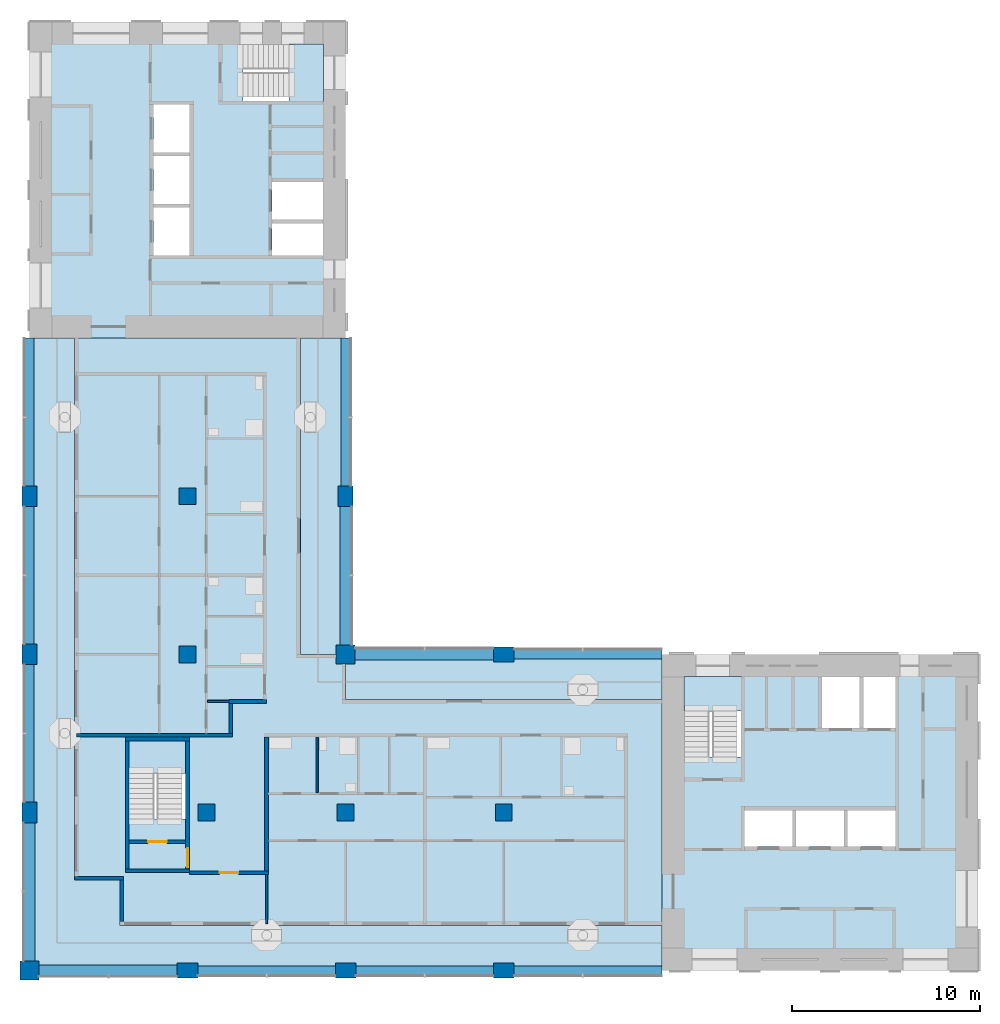
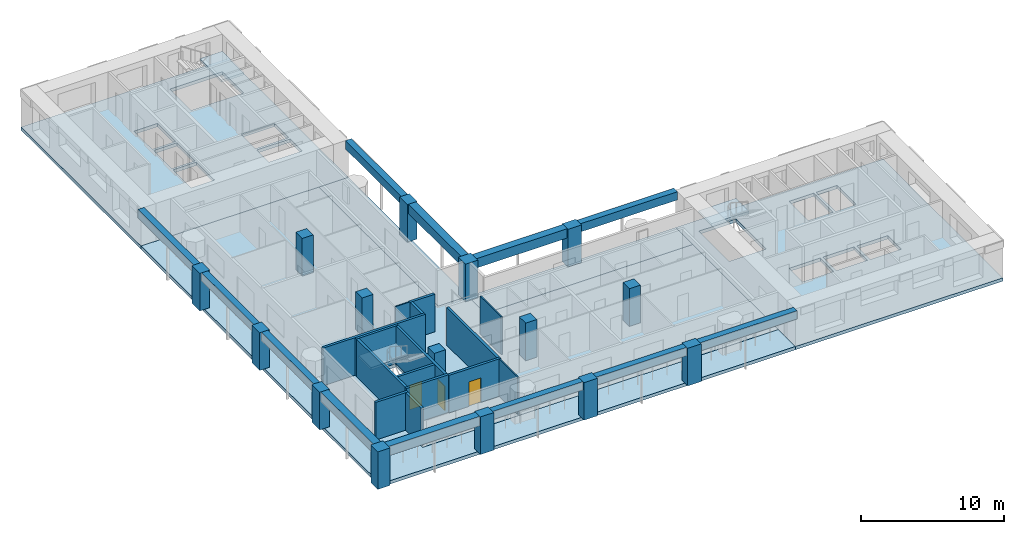
# One storey, part 1 of 12: 15 columns, 15 walls, 12 beams, 10 slabs, 3 doors, 3 openings, 3 elements without a shape of their own.
"""IFC4 building model written with IfcOpenShell, lengths in metres."""

from ifc_helpers import new_model, si_unit, direction, frame, frame_2d, origin, origin_2d, place, context, subcontext, project, spatial, polyline, rectangle, outline, extrude, material, layer, layer_set, material_profile, profile_set, type_object, element, fill, aggregate, save


model = new_model("IFC4")

# Units and contexts
model_context = context("Model", 3, precision=1e-05, world=origin(), true_north=direction((0.0, 1.0)))
body_context = subcontext(model_context, "Body", "Model", "MODEL_VIEW")
ifc_project = project(units=[si_unit("LENGTHUNIT", "METRE"), si_unit("AREAUNIT", "SQUARE_METRE"), si_unit("VOLUMEUNIT", "CUBIC_METRE"), si_unit("PLANEANGLEUNIT", "RADIAN"), si_unit("MASSUNIT", "GRAM", prefix="KILO")], contexts=[model_context])

# Site, building, storey
site_placement = place(None, origin())
site = spatial("IfcSite", under=ifc_project, at=site_placement, CompositionType="ELEMENT")
building_placement = place(site_placement, origin())
building = spatial("IfcBuilding", under=site, at=building_placement, Name="Vermilion Gate Residences", CompositionType="ELEMENT")
storey_placement = place(building_placement, frame((0.0, 0.0, 214.199951171875)))
storey = spatial("IfcBuildingStorey", under=building, at=storey_placement, Name="L55", CompositionType="ELEMENT", Elevation=214.199951171875)

# Columns
ifc_material_1 = material(Name="Concrete C50", Category="concrete")
ifc_material_profile_1 = material_profile(ifc_material_1, rectangle(XDim=1.0, YDim=1.0, at=origin_2d()), Name="RC-1000x1000")
ifc_profile_set_1 = profile_set([ifc_material_profile_1], Name="Concrete C50")
column_type_1 = type_object("IfcColumnType", Name="RC COLUMN 1000 X 1000 C50", PredefinedType="COLUMN", material=ifc_profile_set_1)
for number, where, z_axis, x_axis, name in (
    (1, (8.39990234375, 8.39990234375, 0.0), (0.0, 0.0, 1.0), (1.0, 0.0, 0.0), "Column 2-B L55"),
    (2, (25.199951171875, 25.199951171875, 0.0), (0.0, 0.0, 1.0), (1.0, 0.0, 0.0), "Column 4-D L55"),
):
    element("IfcColumn", number, at=place(storey_placement, frame(where, z_axis=z_axis, x_axis=x_axis)), inside=storey, type_object=column_type_1, Name=name, PredefinedType="COLUMN", context=body_context, shape_type="SweptSolid", body=[
        extrude(rectangle(XDim=1.0, YDim=1.0, at=origin_2d()), origin(), (0.0, 0.0, 1.0), 3.219970703125),
    ])
ifc_material_2 = material(Name="Concrete C50", Category="concrete")
ifc_material_profile_2 = material_profile(ifc_material_2, rectangle(XDim=1.10009765625, YDim=0.800048828125, at=origin_2d()), Name="RC-1100x800")
ifc_profile_set_2 = profile_set([ifc_material_profile_2], Name="Concrete C50")
column_type_2 = type_object("IfcColumnType", Name="RC COLUMN 1100 X 800 C50", PredefinedType="COLUMN", material=ifc_profile_set_2)
for number, where, z_axis, x_axis, name in (
    (3, (8.39990234375, 16.800048828125, 0.0), (0.0, 0.0, 1.0), (0.0, 1.0, 0.0), "Column 2-C L55"),
    (4, (8.39990234375, 25.199951171875, 0.0), (0.0, 0.0, 1.0), (0.0, 1.0, 0.0), "Column 2-D L55"),
    (5, (8.39990234375, 33.60009765625, 0.0), (0.0, 0.0, 1.0), (0.0, 1.0, 0.0), "Column 2-E L55"),
    (6, (16.800048828125, 8.39990234375, 0.0), (0.0, 0.0, 1.0), (1.0, 0.0, 0.0), "Column 3-B L55"),
    (7, (25.199951171875, 8.39990234375, 0.0), (0.0, 0.0, 1.0), (1.0, 0.0, 0.0), "Column 4-B L55"),
    (8, (25.199951171875, 33.60009765625, 0.0), (0.0, 0.0, 1.0), (0.0, 1.0, 0.0), "Column 4-E L55"),
    (9, (33.60009765625, 8.39990234375, 0.0), (0.0, 0.0, 1.0), (1.0, 0.0, 0.0), "Column 5-B L55"),
    (10, (33.60009765625, 25.199951171875, 0.0), (0.0, 0.0, 1.0), (1.0, 0.0, 0.0), "Column 5-D L55"),
):
    element("IfcColumn", number, at=place(storey_placement, frame(where, z_axis=z_axis, x_axis=x_axis)), inside=storey, type_object=column_type_2, Name=name, PredefinedType="COLUMN", context=body_context, shape_type="SweptSolid", body=[
        extrude(rectangle(XDim=1.10009765625, YDim=0.800048828125, at=origin_2d()), origin(), (0.0, 0.0, 1.0), 3.219970703125),
    ])
ifc_material_3 = material(Name="Concrete C50", Category="concrete")
ifc_material_profile_3 = material_profile(ifc_material_3, rectangle(XDim=0.89990234375, YDim=0.89990234375, at=origin_2d()), Name="RC-900x900")
ifc_profile_set_3 = profile_set([ifc_material_profile_3], Name="Concrete C50")
column_type_3 = type_object("IfcColumnType", Name="RC COLUMN 900 X 900 C50", PredefinedType="COLUMN", material=ifc_profile_set_3)
for number, where, z_axis, x_axis, name in (
    (11, (17.800048828125, 16.800048828125, 0.0), (0.0, 0.0, 1.0), (1.0, 0.0, 0.0), "Column 3-C L55"),
    (12, (16.800048828125, 25.199951171875, 0.0), (0.0, 0.0, 1.0), (1.0, 0.0, 0.0), "Column 3-D L55"),
    (13, (16.800048828125, 33.60009765625, 0.0), (0.0, 0.0, 1.0), (1.0, 0.0, 0.0), "Column 3-E L55"),
    (14, (25.199951171875, 16.800048828125, 0.0), (0.0, 0.0, 1.0), (1.0, 0.0, 0.0), "Column 4-C L55"),
    (15, (33.60009765625, 16.800048828125, 0.0), (0.0, 0.0, 1.0), (1.0, 0.0, 0.0), "Column 5-C L55"),
):
    element("IfcColumn", number, at=place(storey_placement, frame(where, z_axis=z_axis, x_axis=x_axis)), inside=storey, type_object=column_type_3, Name=name, PredefinedType="COLUMN", context=body_context, shape_type="SweptSolid", body=[
        extrude(rectangle(XDim=0.89990234375, YDim=0.89990234375, at=origin_2d()), origin(), (0.0, 0.0, 1.0), 3.219970703125),
    ])

# Beams
ifc_material_4 = material(Name="Concrete C60 red-oxide pigmented", Category="concrete")
ifc_material_profile_4 = material_profile(ifc_material_4, rectangle(XDim=0.60009765625, YDim=0.800048828125, at=origin_2d()), Name="RC-600x800")
ifc_profile_set_4 = profile_set([ifc_material_profile_4], Name="Concrete C60 red-oxide pigmented")
beam_type_1 = type_object("IfcBeamType", Name="RC CORNER EDGE BEAM 600 X 800 C60", PredefinedType="BEAM", material=ifc_profile_set_4)
for number, where, z_axis, x_axis, name in (
    (16, (8.89990234375, 8.39990234375, 2.820068359375), (1.0, 0.0, 0.0), (0.0, 1.0, 0.0), "Corner edge beam L55 1"),
    (17, (8.39990234375, 8.89990234375, 2.820068359375), (0.0, 1.0, 0.0), (-1.0, 0.0, 0.0), "Corner edge beam L55 2"),
    (18, (25.199951171875, 25.699951171875, 2.820068359375), (0.0, 1.0, 0.0), (-1.0, 0.0, 0.0), "Corner edge beam L55 7"),
    (19, (25.699951171875, 25.199951171875, 2.820068359375), (1.0, 0.0, 0.0), (0.0, 1.0, 0.0), "Corner edge beam L55 10"),
):
    element("IfcBeam", number, at=place(storey_placement, frame(where, z_axis=z_axis, x_axis=x_axis)), inside=storey, type_object=beam_type_1, Name=name, PredefinedType="BEAM", context=body_context, shape_type="SweptSolid", body=[
        extrude(rectangle(XDim=0.60009765625, YDim=0.800048828125, at=origin_2d()), origin(), (0.0, 0.0, 1.0), 7.35009765625),
    ])
ifc_material_5 = material(Name="Concrete C60 red-oxide pigmented", Category="concrete")
ifc_material_profile_5 = material_profile(ifc_material_5, rectangle(XDim=0.5, YDim=0.699951171875, at=origin_2d()), Name="RC-500x700")
ifc_profile_set_5 = profile_set([ifc_material_profile_5], Name="Concrete C60 red-oxide pigmented")
beam_type_2 = type_object("IfcBeamType", Name="RC EDGE BEAM 500 X 700 C60", PredefinedType="BEAM", material=ifc_profile_set_5)
beam_1_placement = place(storey_placement, frame((8.39990234375, 17.35009765625, 2.8701171875), z_axis=(0.0, 1.0, 0.0), x_axis=(-1.0, 0.0, 0.0)))
element("IfcBeam", 20, at=beam_1_placement, inside=storey, type_object=beam_type_2, Name="Edge beam L55 3", PredefinedType="BEAM", context=body_context, shape_type="SweptSolid", body=[
    extrude(rectangle(XDim=0.5, YDim=0.699951171875, at=origin_2d()), origin(), (0.0, 0.0, 1.0), 7.2998046875),
])
beam_2_placement = place(storey_placement, frame((8.39990234375, 25.75, 2.8701171875), z_axis=(0.0, 1.0, 0.0), x_axis=(-1.0, 0.0, 0.0)))
element("IfcBeam", 21, at=beam_2_placement, inside=storey, type_object=beam_type_2, Name="Edge beam L55 4", PredefinedType="BEAM", context=body_context, shape_type="SweptSolid", body=[
    extrude(rectangle(XDim=0.5, YDim=0.699951171875, at=origin_2d()), origin(), (0.0, 0.0, 1.0), 7.300048828125),
])
beam_3_placement = place(storey_placement, frame((8.39990234375, 34.14990234375, 2.8701171875), z_axis=(0.0, 1.0, 0.0), x_axis=(-1.0, 0.0, 0.0)))
element("IfcBeam", 22, at=beam_3_placement, inside=storey, type_object=beam_type_2, Name="Edge beam L55 5", PredefinedType="BEAM", context=body_context, shape_type="SweptSolid", body=[
    extrude(rectangle(XDim=0.5, YDim=0.699951171875, at=origin_2d()), origin(), (0.0, 0.0, 1.0), 7.85009765625),
])
beam_4_placement = place(storey_placement, frame((17.35009765625, 8.39990234375, 2.8701171875), z_axis=(1.0, 0.0, 0.0), x_axis=(0.0, 1.0, 0.0)))
element("IfcBeam", 23, at=beam_4_placement, inside=storey, type_object=beam_type_2, Name="Edge beam L55 6", PredefinedType="BEAM", context=body_context, shape_type="SweptSolid", body=[
    extrude(rectangle(XDim=0.5, YDim=0.699951171875, at=origin_2d()), origin(), (0.0, 0.0, 1.0), 7.2998046875),
])
beam_5_placement = place(storey_placement, frame((25.199951171875, 34.14990234375, 2.8701171875), z_axis=(0.0, 1.0, 0.0), x_axis=(-1.0, 0.0, 0.0)))
element("IfcBeam", 24, at=beam_5_placement, inside=storey, type_object=beam_type_2, Name="Edge beam L55 8", PredefinedType="BEAM", context=body_context, shape_type="SweptSolid", body=[
    extrude(rectangle(XDim=0.5, YDim=0.699951171875, at=origin_2d()), origin(), (0.0, 0.0, 1.0), 7.85009765625),
])
beam_6_placement = place(storey_placement, frame((25.75, 8.39990234375, 2.8701171875), z_axis=(1.0, 0.0, 0.0), x_axis=(0.0, 1.0, 0.0)))
element("IfcBeam", 25, at=beam_6_placement, inside=storey, type_object=beam_type_2, Name="Edge beam L55 9", PredefinedType="BEAM", context=body_context, shape_type="SweptSolid", body=[
    extrude(rectangle(XDim=0.5, YDim=0.699951171875, at=origin_2d()), origin(), (0.0, 0.0, 1.0), 7.300048828125),
])
for number, where, z_axis, x_axis, name in (
    (26, (34.14990234375, 8.39990234375, 2.8701171875), (1.0, 0.0, 0.0), (0.0, 1.0, 0.0), "Edge beam L55 11"),
    (27, (34.14990234375, 25.199951171875, 2.8701171875), (1.0, 0.0, 0.0), (0.0, 1.0, 0.0), "Edge beam L55 12"),
):
    element("IfcBeam", number, at=place(storey_placement, frame(where, z_axis=z_axis, x_axis=x_axis)), inside=storey, type_object=beam_type_2, Name=name, PredefinedType="BEAM", context=body_context, shape_type="SweptSolid", body=[
        extrude(rectangle(XDim=0.5, YDim=0.699951171875, at=origin_2d()), origin(), (0.0, 0.0, 1.0), 7.85009765625),
    ])

# Slabs
ifc_material_6 = material(Name="Concrete C50", Category="concrete")
ifc_layer_1 = layer(ifc_material_6, 0.280029296875)
ifc_layer_set_1 = layer_set([ifc_layer_1], Name="RC CORE FLOOR SLAB 280 C50")
slab_type_1 = type_object("IfcSlabType", Name="RC CORE FLOOR SLAB 280 C50", PredefinedType="FLOOR", material=ifc_layer_set_1)
slab_1_placement = place(storey_placement, frame((0.0, 0.0, -0.280029296875)))
element("IfcSlab", 28, at=slab_1_placement, inside=storey, type_object=slab_type_1, Name="Core floor slab A55", PredefinedType="FLOOR", context=body_context, shape_type="SweptSolid", body=[
    extrude(outline(polyline([(42.0, 8.39990234375), (58.800048828125, 8.39990234375), (58.800048828125, 25.199951171875), (42.0, 25.199951171875), (42.0, 8.39990234375)]), holes=[polyline([(46.39990234375, 15.0), (46.39990234375, 16.89990234375), (48.933349609375, 16.89990234375), (48.933349609375, 15.0), (46.39990234375, 15.0)]), polyline([(49.13330078125, 16.89990234375), (51.666748046875, 16.89990234375), (51.666748046875, 15.0), (49.13330078125, 15.0), (49.13330078125, 16.89990234375)]), polyline([(51.86669921875, 16.89990234375), (54.39990234375, 16.89990234375), (54.39990234375, 15.0), (51.86669921875, 15.0), (51.86669921875, 16.89990234375)]), polyline([(43.199951171875, 19.75), (43.199951171875, 24.0), (46.199951171875, 24.0), (46.199951171875, 19.75), (43.199951171875, 19.75)]), polyline([(50.5, 24.0), (52.5, 24.0), (52.5, 21.300048828125), (50.5, 21.300048828125), (50.5, 24.0)]), polyline([(52.699951171875, 24.0), (54.39990234375, 24.0), (54.39990234375, 21.300048828125), (52.699951171875, 21.300048828125), (52.699951171875, 24.0)])]), origin(), (0.0, 0.0, 1.0), 0.280029296875),
])
slab_2_placement = place(storey_placement, frame((0.0, 0.0, -0.280029296875)))
element("IfcSlab", 29, at=slab_2_placement, inside=storey, type_object=slab_type_1, Name="Core floor slab B55", PredefinedType="FLOOR", context=body_context, shape_type="SweptSolid", body=[
    extrude(outline(polyline([(8.39990234375, 42.0), (25.199951171875, 42.0), (25.199951171875, 58.800048828125), (8.39990234375, 58.800048828125), (8.39990234375, 42.0)]), holes=[polyline([(21.300048828125, 46.39990234375), (21.300048828125, 48.10009765625), (24.0, 48.10009765625), (24.0, 46.39990234375), (21.300048828125, 46.39990234375)]), polyline([(15.0, 48.933349609375), (16.89990234375, 48.933349609375), (16.89990234375, 46.39990234375), (15.0, 46.39990234375), (15.0, 48.933349609375)]), polyline([(21.300048828125, 50.300048828125), (24.0, 50.300048828125), (24.0, 48.300048828125), (21.300048828125, 48.300048828125), (21.300048828125, 50.300048828125)]), polyline([(15.0, 49.13330078125), (15.0, 51.666748046875), (16.89990234375, 51.666748046875), (16.89990234375, 49.13330078125), (15.0, 49.13330078125)]), polyline([(15.0, 54.39990234375), (16.89990234375, 54.39990234375), (16.89990234375, 51.86669921875), (15.0, 51.86669921875), (15.0, 54.39990234375)]), polyline([(19.75, 57.60009765625), (24.0, 57.60009765625), (24.0, 54.60009765625), (19.75, 54.60009765625), (19.75, 57.60009765625)])]), origin(), (0.0, 0.0, 1.0), 0.280029296875),
])
slab_3_placement = place(storey_placement, frame((0.0, 0.0, -0.280029296875)))
element("IfcSlab", 30, at=slab_3_placement, inside=storey, type_object=slab_type_1, Name="Apex stair floor slab 55", PredefinedType="FLOOR", context=body_context, shape_type="SweptSolid", body=[
    extrude(outline(polyline([(13.5, 13.60009765625), (16.89990234375, 13.60009765625), (16.89990234375, 20.800048828125), (13.5, 20.800048828125), (13.5, 13.60009765625)]), holes=[polyline([(16.699951171875, 20.60009765625), (16.699951171875, 16.449951171875), (13.699951171875, 16.449951171875), (13.699951171875, 20.60009765625), (16.699951171875, 20.60009765625)])]), origin(), (0.0, 0.0, 1.0), 0.280029296875),
])
ifc_material_7 = material(Name="Concrete C50", Category="concrete")
ifc_layer_2 = layer(ifc_material_7, 0.280029296875)
ifc_layer_set_2 = layer_set([ifc_layer_2], Name="RC FLAT PLATE 280 C50")
slab_type_2 = type_object("IfcSlabType", Name="RC FLAT PLATE 280 C50", PredefinedType="FLOOR", material=ifc_layer_set_2)
slab_4_placement = place(storey_placement, frame((0.0, 0.0, -0.280029296875)))
element("IfcSlab", 31, at=slab_4_placement, inside=storey, type_object=slab_type_2, Name="Floor slab L55", PredefinedType="FLOOR", context=body_context, shape_type="SweptSolid", body=[
    extrude(outline(polyline([(22.800048828125, 25.199951171875), (22.800048828125, 42.0), (10.800048828125, 42.0), (10.800048828125, 13.199951171875), (13.199951171875, 13.199951171875), (13.199951171875, 10.800048828125), (42.0, 10.800048828125), (42.0, 22.800048828125), (25.199951171875, 22.800048828125), (25.199951171875, 25.199951171875), (22.800048828125, 25.199951171875)]), holes=[polyline([(13.5, 13.60009765625), (13.5, 20.800048828125), (16.89990234375, 20.800048828125), (16.89990234375, 13.60009765625), (13.5, 13.60009765625)])]), origin(), (0.0, 0.0, 1.0), 0.280029296875),
])
ifc_material_8 = material(Name="Concrete C50 red-oxide pigmented", Category="concrete")
ifc_layer_3 = layer(ifc_material_8, 0.280029296875)
ifc_layer_set_3 = layer_set([ifc_layer_3], Name="RC LOGGIA SLAB 280 C50")
slab_type_3 = type_object("IfcSlabType", Name="RC LOGGIA SLAB 280 C50", PredefinedType="FLOOR", material=ifc_layer_set_3)
slab_5_placement = place(storey_placement, frame((0.0, 0.0, -0.280029296875)))
element("IfcSlab", 32, at=slab_5_placement, inside=storey, type_object=slab_type_3, Name="Loggia slab L55", PredefinedType="FLOOR", context=body_context, shape_type="SweptSolid", body=[
    extrude(outline(polyline([(8.39990234375, 8.39990234375), (42.0, 8.39990234375), (42.0, 10.800048828125), (13.199951171875, 10.800048828125), (13.199951171875, 13.199951171875), (10.800048828125, 13.199951171875), (10.800048828125, 42.0), (8.39990234375, 42.0), (8.39990234375, 8.39990234375)])), origin(), (0.0, 0.0, 1.0), 0.280029296875),
])
slab_6_placement = place(storey_placement, frame((0.0, 0.0, -0.280029296875)))
element("IfcSlab", 33, at=slab_6_placement, inside=storey, type_object=slab_type_3, Name="Loggia slab L55", PredefinedType="FLOOR", context=body_context, shape_type="SweptSolid", body=[
    extrude(outline(polyline([(25.199951171875, 22.800048828125), (42.0, 22.800048828125), (42.0, 25.199951171875), (25.199951171875, 25.199951171875), (25.199951171875, 22.800048828125)])), origin(), (0.0, 0.0, 1.0), 0.280029296875),
])
slab_7_placement = place(storey_placement, frame((0.0, 0.0, -0.280029296875)))
element("IfcSlab", 34, at=slab_7_placement, inside=storey, type_object=slab_type_3, Name="Loggia slab L55", PredefinedType="FLOOR", context=body_context, shape_type="SweptSolid", body=[
    extrude(outline(polyline([(25.199951171875, 42.0), (22.800048828125, 42.0), (22.800048828125, 25.199951171875), (25.199951171875, 25.199951171875), (25.199951171875, 42.0)])), origin(), (0.0, 0.0, 1.0), 0.280029296875),
])

# Stair, slab
ifc_material_9 = material(Name="Concrete C50", Category="concrete")
stair_type = type_object("IfcStairType", Name="SPECIAL ESCAPE STAIR 1300", PredefinedType="HALF_TURN_STAIR", material=ifc_material_9)
stair_1_placement = place(storey_placement, origin())
stair_1 = element("IfcStair", 35, at=stair_1_placement, inside=storey, type_object=stair_type, Name="Special escape stair STA1-55", PredefinedType="HALF_TURN_STAIR")
ifc_material_10 = material(Name="Concrete C50", Category="concrete")
ifc_layer_4 = layer(ifc_material_10, 0.199951171875)
ifc_layer_set_4 = layer_set([ifc_layer_4], Name="STAIR LANDING 200 C50")
slab_type_4 = type_object("IfcSlabType", Name="STAIR LANDING 200 C50", PredefinedType="LANDING", material=ifc_layer_set_4)
slab_8_placement = place(storey_placement, frame((0.0, 0.0, 1.550048828125)))
slab_8 = element("IfcSlab", 36, at=slab_8_placement, type_object=slab_type_4, Name="STA1-55 landing 1", PredefinedType="LANDING", context=body_context, shape_type="SweptSolid", body=[
    extrude(outline(polyline([(46.219970703125, 22.179931640625), (46.219970703125, 24.02001953125), (43.179931640625, 24.02001953125), (43.179931640625, 22.179931640625), (46.219970703125, 22.179931640625)])), origin(), (0.0, 0.0, 1.0), 0.199951171875),
])
aggregate(stair_1, [slab_8])

stair_2_placement = place(storey_placement, origin())
stair_2 = element("IfcStair", 37, at=stair_2_placement, inside=storey, type_object=stair_type, Name="Special escape stair STB1-55", PredefinedType="HALF_TURN_STAIR")
slab_9_placement = place(storey_placement, frame((0.0, 0.0, 1.550048828125)))
slab_9 = element("IfcSlab", 38, at=slab_9_placement, type_object=slab_type_4, Name="STB1-55 landing 1", PredefinedType="LANDING", context=body_context, shape_type="SweptSolid", body=[
    extrude(outline(polyline([(24.02001953125, 54.580078125), (24.02001953125, 57.6201171875), (22.179931640625, 57.6201171875), (22.179931640625, 54.580078125), (24.02001953125, 54.580078125)])), origin(), (0.0, 0.0, 1.0), 0.199951171875),
])
aggregate(stair_2, [slab_9])

stair_3_placement = place(storey_placement, origin())
stair_3 = element("IfcStair", 39, at=stair_3_placement, inside=storey, type_object=stair_type, Name="Special escape stair STC1-55", PredefinedType="HALF_TURN_STAIR")
slab_10_placement = place(storey_placement, frame((0.0, 0.0, 1.550048828125)))
slab_10 = element("IfcSlab", 40, at=slab_10_placement, type_object=slab_type_4, Name="STC1-55 landing 1", PredefinedType="LANDING", context=body_context, shape_type="SweptSolid", body=[
    extrude(outline(polyline([(16.719970703125, 18.8798828125), (16.719970703125, 20.6201171875), (13.679931640625, 20.6201171875), (13.679931640625, 18.8798828125), (16.719970703125, 18.8798828125)])), origin(), (0.0, 0.0, 1.0), 0.199951171875),
])
aggregate(stair_3, [slab_10])

# Walls
ifc_material_11 = material(Name="Insulated steel stud wall with terracotta rainscreen", Category="masonry")
ifc_layer_5 = layer(ifc_material_11, 0.199951171875)
ifc_layer_set_5 = layer_set([ifc_layer_5], Name="EXTERNAL WALL 200 TERRACOTTA RAINSCREEN")
wall_type_1 = type_object("IfcWallType", Name="EXTERNAL WALL 200 TERRACOTTA RAINSCREEN", PredefinedType="SOLIDWALL", material=ifc_layer_set_5)
wall_1_placement = place(storey_placement, frame((10.800048828125, 13.300048828125, 0.0), z_axis=(0.0, 0.0, 1.0), x_axis=(1.0, 0.0, 0.0)))
element("IfcWall", 41, at=wall_1_placement, inside=storey, type_object=wall_type_1, Name="External wall", PredefinedType="SOLIDWALL", context=body_context, shape_type="SweptSolid", body=[
    extrude(rectangle(XDim=2.599853515625, YDim=0.199951171875, at=frame_2d((1.2998046875, 0.0))), origin(), (0.0, 0.0, 1.0), 3.219970703125),
])
wall_2_placement = place(storey_placement, frame((13.300048828125, 13.199951171875, 0.0), z_axis=(0.0, 0.0, 1.0), x_axis=(0.0, -1.0, 0.0)))
element("IfcWall", 42, at=wall_2_placement, inside=storey, type_object=wall_type_1, Name="External wall", PredefinedType="SOLIDWALL", context=body_context, shape_type="SweptSolid", body=[
    extrude(rectangle(XDim=2.199951171875, YDim=0.199951171875, at=frame_2d((1.10009765625, 0.0))), origin(), (0.0, 0.0, 1.0), 3.219970703125),
])
ifc_material_12 = material(Name="Plasterboard on steel studs", Category="steel")
ifc_layer_6 = layer(ifc_material_12, 0.10009765625)
ifc_layer_set_6 = layer_set([ifc_layer_6], Name="PARTITION 100")
wall_type_2 = type_object("IfcWallType", Name="PARTITION 100", PredefinedType="PARTITIONING", material=ifc_layer_set_6)
wall_3_placement = place(storey_placement, frame((17.85009765625, 22.699951171875, 0.0), z_axis=(0.0, 0.0, 1.0), x_axis=(1.0, 0.0, 0.0)))
element("IfcWall", 43, at=wall_3_placement, inside=storey, type_object=wall_type_2, Name="Partition", PredefinedType="PARTITIONING", context=body_context, shape_type="SweptSolid", body=[
    extrude(rectangle(XDim=1.14990234375, YDim=0.10009765625, at=frame_2d((0.574951171875, 0.0))), origin(), (0.0, 0.0, 1.0), 3.219970703125),
])
wall_4_placement = place(storey_placement, frame((21.0, 10.89990234375, 0.0), z_axis=(0.0, 0.0, 1.0), x_axis=(0.0, 1.0, 0.0)))
element("IfcWall", 44, at=wall_4_placement, inside=storey, type_object=wall_type_2, Name="Partition", PredefinedType="PARTITIONING", context=body_context, shape_type="SweptSolid", body=[
    extrude(rectangle(XDim=2.60009765625, YDim=0.10009765625, at=frame_2d((1.300048828125, 0.0))), origin(), (0.0, 0.0, 1.0), 3.219970703125),
])
wall_5_placement = place(storey_placement, frame((23.68408203125, 17.85009765625, 0.0), z_axis=(0.0, 0.0, 1.0), x_axis=(0.0, 1.0, 0.0)))
element("IfcWall", 45, at=wall_5_placement, inside=storey, type_object=wall_type_2, Name="Partition", PredefinedType="PARTITIONING", context=body_context, shape_type="SweptSolid", body=[
    extrude(rectangle(XDim=2.949951171875, YDim=0.10009765625, at=frame_2d((1.47509765625, 0.0))), origin(), (0.0, 0.0, 1.0), 3.219970703125),
])

# Wall, opening, door
ifc_material_13 = material(Name="Fire-rated plasterboard on steel studs", Category="steel")
ifc_layer_7 = layer(ifc_material_13, 0.199951171875)
ifc_layer_set_7 = layer_set([ifc_layer_7], Name="PARTY WALL 200 EI 120")
wall_type_3 = type_object("IfcWallType", Name="PARTY WALL 200 EI 120", PredefinedType="PARTITIONING", material=ifc_layer_set_7)
wall_6_placement = place(storey_placement, frame((16.89990234375, 13.60009765625, 0.0), z_axis=(0.0, 0.0, 1.0), x_axis=(1.0, 0.0, 0.0)))
wall_6 = element("IfcWall", 46, at=wall_6_placement, inside=storey, type_object=wall_type_3, Name="Party and corridor wall", PredefinedType="PARTITIONING", context=body_context, shape_type="SweptSolid", body=[
    extrude(rectangle(XDim=4.2001953125, YDim=0.199951171875, at=frame_2d((2.10009765625, 0.0))), origin(), (0.0, 0.0, 1.0), 3.219970703125),
])
opening_1_placement = place(wall_6_placement, frame((1.60009765625, 0.0, 0.0)))
opening_1 = element("IfcOpeningElement", 47, at=opening_1_placement, cuts=wall_6, Name="Opening DA55001", PredefinedType="OPENING", context=body_context, shape_type="SweptSolid", body=[
    extrude(rectangle(XDim=1.0, YDim=2.10009765625, at=frame_2d((0.5, 1.050048828125))), frame((0.0, 0.10986328125, 0.0), z_axis=(0.0, -1.0, 0.0), x_axis=(1.0, 0.0, 0.0)), (0.0, 0.0, 1.0), 0.219970703125),
])
ifc_material_14 = material(Name="Steel", Category="steel")
door_type_1 = type_object("IfcDoorType", Name="ENTRANCE DOOR 1000 X 2100 FD30", OperationType="SINGLE_SWING_LEFT", PredefinedType="DOOR", material=ifc_material_14)
door_1_placement = place(opening_1_placement, frame((1.0, 0.0, 0.0), z_axis=(0.0, 0.0, 1.0), x_axis=(-1.0, 0.0, 0.0)))
door_1 = element("IfcDoor", 48, at=door_1_placement, inside=storey, type_object=door_type_1, Name="Entrance door", OperationType="SINGLE_SWING_LEFT", OverallHeight=2.10009765625, OverallWidth=1.0, PredefinedType="DOOR", context=body_context, shape_type="SweptSolid", body=[
    extrude(rectangle(XDim=1.0, YDim=2.10009765625, at=frame_2d((0.5, 1.050048828125))), frame((0.0, 0.02490234375, 0.0), z_axis=(0.0, -1.0, 0.0), x_axis=(1.0, 0.0, 0.0)), (0.0, 0.0, 1.0), 0.050048828125),
])
fill(opening_1, door_1)

# Walls
wall_7_placement = place(storey_placement, frame((10.89990234375, 20.89990234375, 0.0), z_axis=(0.0, 0.0, 1.0), x_axis=(1.0, 0.0, 0.0)))
element("IfcWall", 49, at=wall_7_placement, inside=storey, type_object=wall_type_3, Name="Party and corridor wall", PredefinedType="PARTITIONING", context=body_context, shape_type="SweptSolid", body=[
    extrude(rectangle(XDim=8.300048828125, YDim=0.199951171875, at=frame_2d((4.14990234375, 0.0))), origin(), (0.0, 0.0, 1.0), 3.219970703125),
])
wall_8_placement = place(storey_placement, frame((19.0, 22.699951171875, 0.0), z_axis=(0.0, 0.0, 1.0), x_axis=(1.0, 0.0, 0.0)))
element("IfcWall", 50, at=wall_8_placement, inside=storey, type_object=wall_type_3, Name="Party and corridor wall", PredefinedType="PARTITIONING", context=body_context, shape_type="SweptSolid", body=[
    extrude(rectangle(XDim=2.0, YDim=0.199951171875, at=frame_2d((1.0, 0.0))), origin(), (0.0, 0.0, 1.0), 3.219970703125),
])
wall_9_placement = place(storey_placement, frame((19.10009765625, 21.0, 0.0), z_axis=(0.0, 0.0, 1.0), x_axis=(0.0, 1.0, 0.0)))
element("IfcWall", 51, at=wall_9_placement, inside=storey, type_object=wall_type_3, Name="Party and corridor wall", PredefinedType="PARTITIONING", context=body_context, shape_type="SweptSolid", body=[
    extrude(rectangle(XDim=1.60009765625, YDim=0.199951171875, at=frame_2d((0.800048828125, 0.0))), origin(), (0.0, 0.0, 1.0), 3.219970703125),
])
wall_10_placement = place(storey_placement, frame((21.0, 13.699951171875, 0.0), z_axis=(0.0, 0.0, 1.0), x_axis=(0.0, 1.0, 0.0)))
element("IfcWall", 52, at=wall_10_placement, inside=storey, type_object=wall_type_3, Name="Party and corridor wall", PredefinedType="PARTITIONING", context=body_context, shape_type="SweptSolid", body=[
    extrude(rectangle(XDim=7.10009765625, YDim=0.199951171875, at=frame_2d((3.550048828125, 0.0))), origin(), (0.0, 0.0, 1.0), 3.219970703125),
])
ifc_material_15 = material(Name="Concrete C60", Category="concrete")
ifc_layer_8 = layer(ifc_material_15, 0.199951171875)
ifc_layer_set_8 = layer_set([ifc_layer_8], Name="RC CORE INTERNAL WALL 200 C60")
wall_type_4 = type_object("IfcWallType", Name="RC CORE INTERNAL WALL 200 C60", PredefinedType="SHEAR", material=ifc_layer_set_8)
wall_11_placement = place(storey_placement, frame((13.60009765625, 13.800048828125, 0.0), z_axis=(0.0, 0.0, 1.0), x_axis=(0.0, 1.0, 0.0)))
element("IfcWall", 53, at=wall_11_placement, inside=storey, type_object=wall_type_4, Name="Core internal wall C55-W", PredefinedType="SHEAR", context=body_context, shape_type="SweptSolid", body=[
    extrude(rectangle(XDim=6.800048828125, YDim=0.199951171875, at=frame_2d((3.39990234375, 0.0))), origin(), (0.0, 0.0, 1.0), 3.219970703125),
])

# Wall, opening, door
wall_12_placement = place(storey_placement, frame((16.800048828125, 13.800048828125, 0.0), z_axis=(0.0, 0.0, 1.0), x_axis=(0.0, 1.0, 0.0)))
wall_12 = element("IfcWall", 54, at=wall_12_placement, inside=storey, type_object=wall_type_4, Name="Core internal wall C55-E", PredefinedType="SHEAR", context=body_context, shape_type="SweptSolid", body=[
    extrude(rectangle(XDim=6.800048828125, YDim=0.199951171875, at=frame_2d((3.39990234375, 0.0))), origin(), (0.0, 0.0, 1.0), 3.219970703125),
])
opening_2_placement = place(wall_12_placement, frame((0.10009765625, 0.0, 0.0)))
opening_2 = element("IfcOpeningElement", 55, at=opening_2_placement, cuts=wall_12, Name="Opening DK55201", PredefinedType="OPENING", context=body_context, shape_type="SweptSolid", body=[
    extrude(rectangle(XDim=1.0, YDim=2.10009765625, at=frame_2d((0.5, 1.050048828125))), frame((0.0, 0.10986328125, 0.0), z_axis=(0.0, -1.0, 0.0), x_axis=(1.0, 0.0, 0.0)), (0.0, 0.0, 1.0), 0.219970703125),
])
ifc_material_16 = material(Name="Steel", Category="steel")
door_type_2 = type_object("IfcDoorType", Name="FIRE DOOR FD60 1000 X 2100", OperationType="SINGLE_SWING_LEFT", PredefinedType="DOOR", material=ifc_material_16)
door_2_placement = place(opening_2_placement, frame((1.0, 0.0, 0.0), z_axis=(0.0, 0.0, 1.0), x_axis=(-1.0, 0.0, 0.0)))
door_2 = element("IfcDoor", 56, at=door_2_placement, inside=storey, type_object=door_type_2, Name="Stair vestibule door C55", OperationType="SINGLE_SWING_RIGHT", OverallHeight=2.10009765625, OverallWidth=1.0, PredefinedType="DOOR", context=body_context, shape_type="SweptSolid", body=[
    extrude(rectangle(XDim=1.0, YDim=2.10009765625, at=frame_2d((0.5, 1.050048828125))), frame((0.0, 0.02490234375, 0.0), z_axis=(0.0, -1.0, 0.0), x_axis=(1.0, 0.0, 0.0)), (0.0, 0.0, 1.0), 0.050048828125),
])
fill(opening_2, door_2)

# Walls
for number, where, z_axis, x_axis, name in (
    (57, (13.5, 13.699951171875, 0.0), (0.0, 0.0, 1.0), (1.0, 0.0, 0.0), "Core internal wall C55-S"),
    (58, (13.5, 20.699951171875, 0.0), (0.0, 0.0, 1.0), (1.0, 0.0, 0.0), "Core internal wall C55-N"),
):
    element("IfcWall", number, at=place(storey_placement, frame(where, z_axis=z_axis, x_axis=x_axis)), inside=storey, type_object=wall_type_4, Name=name, PredefinedType="SHEAR", context=body_context, shape_type="SweptSolid", body=[
        extrude(rectangle(XDim=3.39990234375, YDim=0.199951171875, at=frame_2d((1.699951171875, 0.0))), origin(), (0.0, 0.0, 1.0), 3.219970703125),
    ])

# Wall, opening, door
wall_13_placement = place(storey_placement, frame((13.699951171875, 15.25, 0.0), z_axis=(0.0, 0.0, 1.0), x_axis=(1.0, 0.0, 0.0)))
wall_13 = element("IfcWall", 59, at=wall_13_placement, inside=storey, type_object=wall_type_4, Name="Core internal wall C55-P", PredefinedType="SHEAR", context=body_context, shape_type="SweptSolid", body=[
    extrude(rectangle(XDim=3.0, YDim=0.199951171875, at=frame_2d((1.5, 0.0))), origin(), (0.0, 0.0, 1.0), 3.219970703125),
])
opening_3_placement = place(wall_13_placement, frame((1.0, 0.0, 0.0)))
opening_3 = element("IfcOpeningElement", 60, at=opening_3_placement, cuts=wall_13, Name="Opening DK55202", PredefinedType="OPENING", context=body_context, shape_type="SweptSolid", body=[
    extrude(rectangle(XDim=1.0, YDim=2.10009765625, at=frame_2d((0.5, 1.050048828125))), frame((0.0, 0.10986328125, 0.0), z_axis=(0.0, -1.0, 0.0), x_axis=(1.0, 0.0, 0.0)), (0.0, 0.0, 1.0), 0.219970703125),
])
door_3_placement = place(opening_3_placement, origin())
door_3 = element("IfcDoor", 61, at=door_3_placement, inside=storey, type_object=door_type_2, Name="Stair door C55", OperationType="SINGLE_SWING_LEFT", OverallHeight=2.10009765625, OverallWidth=1.0, PredefinedType="DOOR", context=body_context, shape_type="SweptSolid", body=[
    extrude(rectangle(XDim=1.0, YDim=2.10009765625, at=frame_2d((0.5, 1.050048828125))), frame((0.0, 0.02490234375, 0.0), z_axis=(0.0, -1.0, 0.0), x_axis=(1.0, 0.0, 0.0)), (0.0, 0.0, 1.0), 0.050048828125),
])
fill(opening_3, door_3)

save(model, "model.ifc")
